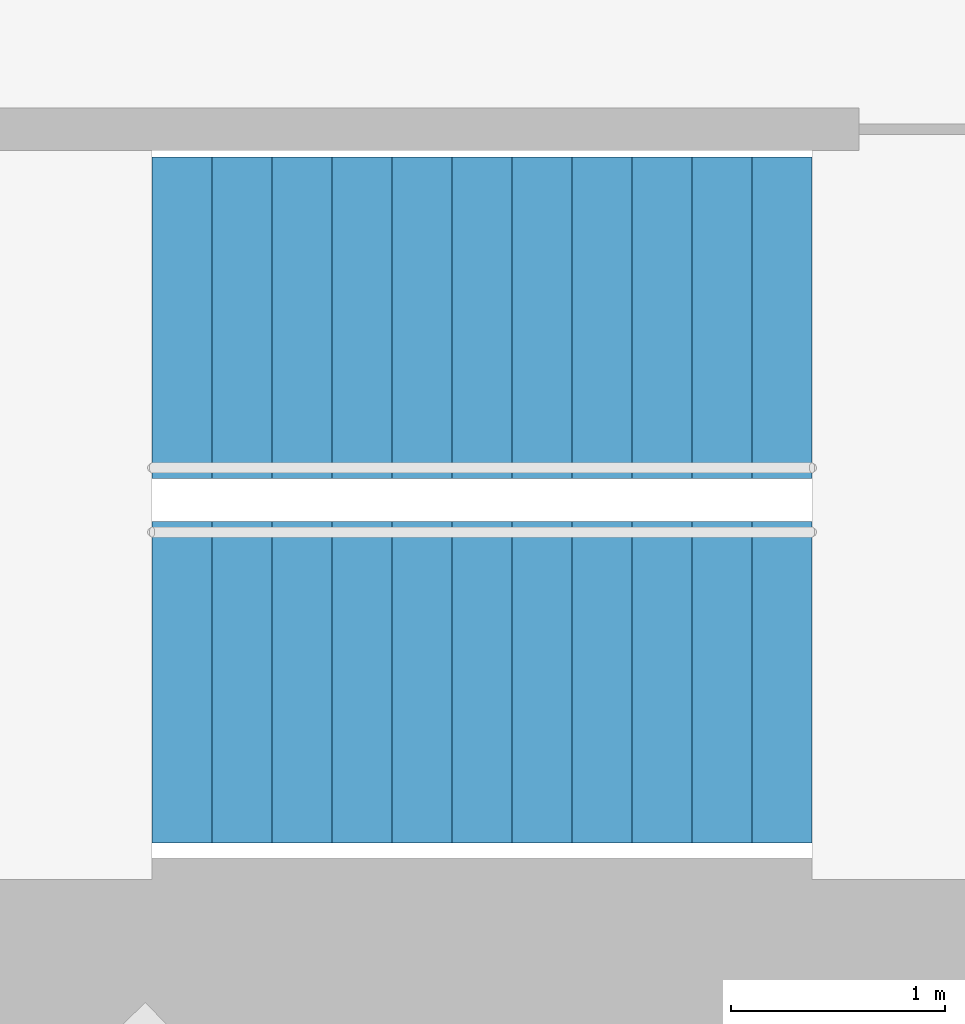
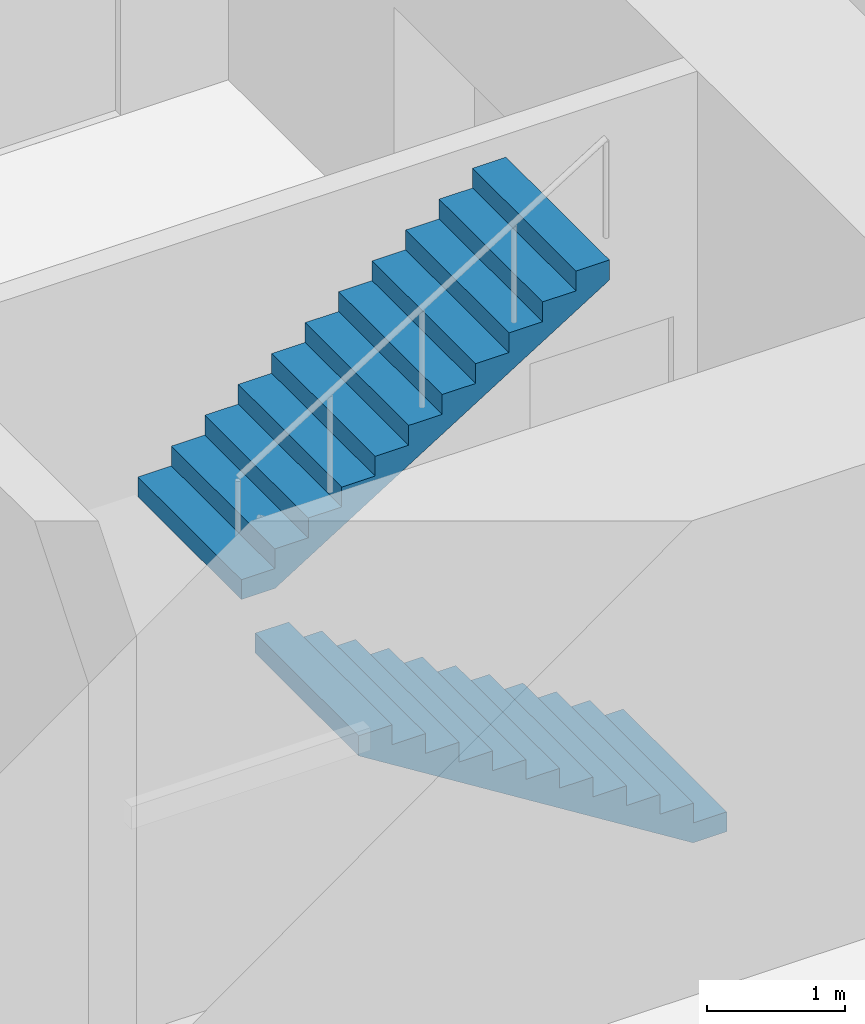
# One storey, part 17 of 18: 2 stair flights, 1 element without a shape of its own.
"""IFC4 building model written with IfcOpenShell, lengths in metres."""

from ifc_helpers import new_model, si_unit, direction, frame, origin, place, context, subcontext, project, spatial, triangles, material, type_object, element, aggregate, save


model = new_model("IFC4")

# Units and contexts
model_context = context("Model", 3, precision=1e-05, world=origin(), true_north=direction((0.0, 1.0)))
body_context = subcontext(model_context, "Body", "Model", "MODEL_VIEW")
ifc_project = project(units=[si_unit("LENGTHUNIT", "METRE"), si_unit("AREAUNIT", "SQUARE_METRE"), si_unit("VOLUMEUNIT", "CUBIC_METRE"), si_unit("PLANEANGLEUNIT", "RADIAN"), si_unit("MASSUNIT", "GRAM", prefix="KILO")], contexts=[model_context])

# Site, building, storey
site_placement = place(None, origin())
site = spatial("IfcSite", under=ifc_project, at=site_placement, CompositionType="ELEMENT")
building_placement = place(site_placement, origin())
building = spatial("IfcBuilding", under=site, at=building_placement, Name="Lantaw Convention Tower", CompositionType="ELEMENT")
storey_placement = place(building_placement, frame((0.0, 0.0, 138.39990234375)))
storey = spatial("IfcBuildingStorey", under=building, at=storey_placement, Name="L32", CompositionType="ELEMENT", Elevation=138.39990234375)

# Stair, stair flights
ifc_material = material(Name="Concrete C35/45", Category="concrete")
stair_type = type_object("IfcStairType", Name="Exit stair 1500 riser 175 in 2 flights", PredefinedType="HALF_TURN_STAIR", material=ifc_material)
stair_placement = place(storey_placement, origin())
stair = element("IfcStair", 1, at=stair_placement, inside=storey, type_object=stair_type, Name="Exit stair S2 L32", PredefinedType="HALF_TURN_STAIR")
stair_flight_type = type_object("IfcStairFlightType", Name="Stair flight 1500 riser 175", PredefinedType="STRAIGHT", material=ifc_material)
stair_flight_1_placement = place(storey_placement, frame((10.580078125, -5.97998046875, 0.0), z_axis=(0.0, 0.0, 1.0), x_axis=(-1.0, 0.0, 0.0)))
stair_flight_1 = element("IfcStairFlight", 2, at=stair_flight_1_placement, type_object=stair_flight_type, Name="S2 flight 1", NumberOfRisers=12, NumberOfTreads=11, PredefinedType="STRAIGHT", RiserHeight=0.175, TreadLength=0.28, context=body_context, shape_type="Tessellation", body=[
    triangles([(0.0, 0.75, 0.0), (0.0, 0.75, 0.175), (0.28, 0.75, 0.0), (0.28, 0.75, 0.175), (0.28, 0.75, 0.35), (0.28283517651771284, 0.75, 0.0), (0.28283517651771284, 0.75, 0.35), (0.56, 0.75, 0.17322801467642948), (0.56, 0.75, 0.35), (0.56, 0.75, 0.5249999999999999), (0.8400000000000001, 0.75, 0.34822801467642944), (0.8400000000000001, 0.75, 0.5249999999999999), (0.8400000000000001, 0.75, 0.7), (1.12, 0.75, 0.5232280146764294), (1.12, 0.75, 0.7), (1.12, 0.75, 0.875), (1.4000000000000001, 0.75, 0.6982280146764295), (1.4000000000000001, 0.75, 0.875), (1.4000000000000001, 0.75, 1.0499999999999998), (1.6800000000000002, 0.75, 0.8732280146764294), (1.6800000000000002, 0.75, 1.0499999999999998), (1.6800000000000002, 0.75, 1.2249999999999999), (1.9600000000000002, 0.75, 1.0482280146764293), (1.9600000000000002, 0.75, 1.2249999999999999), (1.9600000000000002, 0.75, 1.4), (2.24, 0.75, 1.2232280146764294), (2.24, 0.75, 1.4), (2.24, 0.75, 1.575), (2.5200000000000005, 0.75, 1.3982280146764294), (2.5200000000000005, 0.75, 1.575), (2.5200000000000005, 0.75, 1.75), (2.8000000000000003, 0.75, 1.5732280146764293), (2.8000000000000003, 0.75, 1.75), (2.8000000000000003, 0.75, 1.9249999999999998), (3.08, 0.75, 1.7482280146764293), (3.08, 0.75, 1.9249999999999998), (0.0, -0.75, 0.0), (0.0, -0.75, 0.175), (0.28, -0.75, 0.0), (0.28, -0.75, 0.175), (0.28, -0.75, 0.35), (0.28283517651771284, -0.75, 0.0), (0.28283517651771284, -0.75, 0.35), (0.56, -0.75, 0.17322801467642948), (0.56, -0.75, 0.35), (0.56, -0.75, 0.5249999999999999), (0.8400000000000001, -0.75, 0.34822801467642944), (0.8400000000000001, -0.75, 0.5249999999999999), (0.8400000000000001, -0.75, 0.7), (1.12, -0.75, 0.5232280146764294), (1.12, -0.75, 0.7), (1.12, -0.75, 0.875), (1.4000000000000001, -0.75, 0.6982280146764295), (1.4000000000000001, -0.75, 0.875), (1.4000000000000001, -0.75, 1.0499999999999998), (1.6800000000000002, -0.75, 0.8732280146764294), (1.6800000000000002, -0.75, 1.0499999999999998), (1.6800000000000002, -0.75, 1.2249999999999999), (1.9600000000000002, -0.75, 1.0482280146764293), (1.9600000000000002, -0.75, 1.2249999999999999), (1.9600000000000002, -0.75, 1.4), (2.24, -0.75, 1.2232280146764294), (2.24, -0.75, 1.4), (2.24, -0.75, 1.575), (2.5200000000000005, -0.75, 1.3982280146764294), (2.5200000000000005, -0.75, 1.575), (2.5200000000000005, -0.75, 1.75), (2.8000000000000003, -0.75, 1.5732280146764293), (2.8000000000000003, -0.75, 1.75), (2.8000000000000003, -0.75, 1.9249999999999998), (3.08, -0.75, 1.7482280146764293), (3.08, -0.75, 1.9249999999999998), (0.0, 0.15000000000000002, 0.175), (0.0, 0.15000000000000002, 0.0), (0.0, 0.0, 0.175), (0.0, 0.0, 0.0), (0.0, -0.15000000000000002, 0.175), (0.0, -0.15000000000000002, 0.0), (0.28, 0.15000000000000002, 0.35), (0.28, 0.15000000000000002, 0.175), (0.28, 0.0, 0.35), (0.28, 0.0, 0.175), (0.28, -0.15000000000000002, 0.35), (0.28, -0.15000000000000002, 0.175), (0.56, 0.15000000000000002, 0.5249999999999999), (0.56, 0.15000000000000002, 0.35), (0.56, 0.0, 0.5249999999999999), (0.56, 0.0, 0.35), (0.56, -0.15000000000000002, 0.5249999999999999), (0.56, -0.15000000000000002, 0.35), (0.8400000000000001, 0.15000000000000002, 0.7), (0.8400000000000001, 0.15000000000000002, 0.5249999999999999), (0.8400000000000001, 0.0, 0.7), (0.8400000000000001, 0.0, 0.5249999999999999), (0.8400000000000001, -0.15000000000000002, 0.7), (0.8400000000000001, -0.15000000000000002, 0.5249999999999999), (1.12, 0.15000000000000002, 0.875), (1.12, 0.15000000000000002, 0.7), (1.12, 0.0, 0.875), (1.12, 0.0, 0.7), (1.12, -0.15000000000000002, 0.875), (1.12, -0.15000000000000002, 0.7), (1.4000000000000001, 0.15000000000000002, 1.0499999999999998), (1.4000000000000001, 0.15000000000000002, 0.875), (1.4000000000000001, 0.0, 1.0499999999999998), (1.4000000000000001, 0.0, 0.875), (1.4000000000000001, -0.15000000000000002, 1.0499999999999998), (1.4000000000000001, -0.15000000000000002, 0.875), (1.6800000000000002, 0.15000000000000002, 1.2249999999999999), (1.6800000000000002, 0.15000000000000002, 1.0499999999999998), (1.6800000000000002, 0.0, 1.2249999999999999), (1.6800000000000002, 0.0, 1.0499999999999998), (1.6800000000000002, -0.15000000000000002, 1.2249999999999999), (1.6800000000000002, -0.15000000000000002, 1.0499999999999998), (1.9600000000000002, 0.15000000000000002, 1.4), (1.9600000000000002, 0.15000000000000002, 1.2249999999999999), (1.9600000000000002, 0.0, 1.4), (1.9600000000000002, 0.0, 1.2249999999999999), (1.9600000000000002, -0.15000000000000002, 1.4), (1.9600000000000002, -0.15000000000000002, 1.2249999999999999), (2.24, 0.15000000000000002, 1.575), (2.24, 0.15000000000000002, 1.4), (2.24, 0.0, 1.575), (2.24, 0.0, 1.4), (2.24, -0.15000000000000002, 1.575), (2.24, -0.15000000000000002, 1.4), (2.5200000000000005, 0.15000000000000002, 1.75), (2.5200000000000005, 0.15000000000000002, 1.575), (2.5200000000000005, 0.0, 1.75), (2.5200000000000005, 0.0, 1.575), (2.5200000000000005, -0.15000000000000002, 1.75), (2.5200000000000005, -0.15000000000000002, 1.575), (2.8000000000000003, 0.15000000000000002, 1.9249999999999998), (2.8000000000000003, 0.15000000000000002, 1.75), (2.8000000000000003, 0.0, 1.9249999999999998), (2.8000000000000003, 0.0, 1.75), (2.8000000000000003, -0.15000000000000002, 1.9249999999999998), (2.8000000000000003, -0.15000000000000002, 1.75), (0.28283517651771284, 0.15000000000000002, 0.35), (0.28283517651771284, 0.0, 0.35), (0.28283517651771284, -0.15000000000000002, 0.35), (3.08, 0.15000000000000002, 1.9249999999999998), (3.08, 0.0, 1.9249999999999998), (3.08, -0.15000000000000002, 1.9249999999999998), (3.08, 0.15000000000000002, 1.7482280146764293), (3.08, 0.0, 1.7482280146764293), (3.08, -0.15000000000000002, 1.7482280146764293), (2.8000000000000003, 0.15000000000000002, 1.5732280146764293), (2.8000000000000003, 0.0, 1.5732280146764293), (2.8000000000000003, -0.15000000000000002, 1.5732280146764293), (2.5200000000000005, 0.15000000000000002, 1.3982280146764294), (2.5200000000000005, 0.0, 1.3982280146764294), (2.5200000000000005, -0.15000000000000002, 1.3982280146764294), (2.24, 0.15000000000000002, 1.2232280146764294), (2.24, 0.0, 1.2232280146764294), (2.24, -0.15000000000000002, 1.2232280146764294), (1.9600000000000002, 0.15000000000000002, 1.0482280146764293), (1.9600000000000002, 0.0, 1.0482280146764293), (1.9600000000000002, -0.15000000000000002, 1.0482280146764293), (1.6800000000000002, 0.15000000000000002, 0.8732280146764294), (1.6800000000000002, 0.0, 0.8732280146764294), (1.6800000000000002, -0.15000000000000002, 0.8732280146764294), (1.4000000000000001, 0.15000000000000002, 0.6982280146764295), (1.4000000000000001, 0.0, 0.6982280146764295), (1.4000000000000001, -0.15000000000000002, 0.6982280146764295), (1.12, 0.15000000000000002, 0.5232280146764294), (1.12, 0.0, 0.5232280146764294), (1.12, -0.15000000000000002, 0.5232280146764294), (0.8400000000000001, 0.15000000000000002, 0.34822801467642944), (0.8400000000000001, 0.0, 0.34822801467642944), (0.8400000000000001, -0.15000000000000002, 0.34822801467642944), (0.56, 0.15000000000000002, 0.17322801467642948), (0.56, 0.0, 0.17322801467642948), (0.56, -0.15000000000000002, 0.17322801467642948), (0.28283517651771284, 0.15000000000000002, 0.0), (0.28283517651771284, 0.0, 0.0), (0.28283517651771284, -0.15000000000000002, 0.0), (0.28, 0.15000000000000002, 0.0), (0.28, 0.0, 0.0), (0.28, -0.15000000000000002, 0.0)], [[1, 4, 3], [1, 2, 4], [3, 4, 6], [4, 7, 6], [4, 5, 7], [6, 9, 8], [6, 7, 9], [8, 9, 11], [9, 12, 11], [9, 10, 12], [11, 12, 14], [12, 15, 14], [12, 13, 15], [14, 15, 17], [15, 18, 17], [15, 16, 18], [17, 18, 20], [18, 21, 20], [18, 19, 21], [20, 21, 23], [21, 24, 23], [21, 22, 24], [23, 24, 26], [24, 27, 26], [24, 25, 27], [26, 27, 29], [27, 30, 29], [27, 28, 30], [29, 30, 32], [30, 33, 32], [30, 31, 33], [32, 33, 35], [33, 36, 35], [33, 34, 36], [37, 39, 40], [37, 40, 38], [39, 42, 40], [40, 42, 43], [40, 43, 41], [42, 44, 45], [42, 45, 43], [44, 47, 45], [45, 47, 48], [45, 48, 46], [47, 50, 48], [48, 50, 51], [48, 51, 49], [50, 53, 51], [51, 53, 54], [51, 54, 52], [53, 56, 54], [54, 56, 57], [54, 57, 55], [56, 59, 57], [57, 59, 60], [57, 60, 58], [59, 62, 60], [60, 62, 63], [60, 63, 61], [62, 65, 63], [63, 65, 66], [63, 66, 64], [65, 68, 66], [66, 68, 69], [66, 69, 67], [68, 71, 69], [69, 71, 72], [69, 72, 70], [1, 73, 2], [1, 74, 73], [74, 75, 73], [74, 76, 75], [76, 77, 75], [76, 78, 77], [78, 38, 77], [78, 37, 38], [4, 79, 5], [4, 80, 79], [80, 81, 79], [80, 82, 81], [82, 83, 81], [82, 84, 83], [84, 41, 83], [84, 40, 41], [9, 85, 10], [9, 86, 85], [86, 87, 85], [86, 88, 87], [88, 89, 87], [88, 90, 89], [90, 46, 89], [90, 45, 46], [12, 91, 13], [12, 92, 91], [92, 93, 91], [92, 94, 93], [94, 95, 93], [94, 96, 95], [96, 49, 95], [96, 48, 49], [15, 97, 16], [15, 98, 97], [98, 99, 97], [98, 100, 99], [100, 101, 99], [100, 102, 101], [102, 52, 101], [102, 51, 52], [18, 103, 19], [18, 104, 103], [104, 105, 103], [104, 106, 105], [106, 107, 105], [106, 108, 107], [108, 55, 107], [108, 54, 55], [21, 109, 22], [21, 110, 109], [110, 111, 109], [110, 112, 111], [112, 113, 111], [112, 114, 113], [114, 58, 113], [114, 57, 58], [24, 115, 25], [24, 116, 115], [116, 117, 115], [116, 118, 117], [118, 119, 117], [118, 120, 119], [120, 61, 119], [120, 60, 61], [27, 121, 28], [27, 122, 121], [122, 123, 121], [122, 124, 123], [124, 125, 123], [124, 126, 125], [126, 64, 125], [126, 63, 64], [30, 127, 31], [30, 128, 127], [128, 129, 127], [128, 130, 129], [130, 131, 129], [130, 132, 131], [132, 67, 131], [132, 66, 67], [33, 133, 34], [33, 134, 133], [134, 135, 133], [134, 136, 135], [136, 137, 135], [136, 138, 137], [138, 70, 137], [138, 69, 70], [2, 80, 4], [2, 73, 80], [73, 82, 80], [73, 75, 82], [75, 84, 82], [75, 77, 84], [77, 40, 84], [77, 38, 40], [5, 139, 7], [5, 79, 139], [79, 140, 139], [79, 81, 140], [81, 141, 140], [81, 83, 141], [83, 43, 141], [83, 41, 43], [7, 86, 9], [7, 139, 86], [139, 88, 86], [139, 140, 88], [140, 90, 88], [140, 141, 90], [141, 45, 90], [141, 43, 45], [10, 92, 12], [10, 85, 92], [85, 94, 92], [85, 87, 94], [87, 96, 94], [87, 89, 96], [89, 48, 96], [89, 46, 48], [13, 98, 15], [13, 91, 98], [91, 100, 98], [91, 93, 100], [93, 102, 100], [93, 95, 102], [95, 51, 102], [95, 49, 51], [16, 104, 18], [16, 97, 104], [97, 106, 104], [97, 99, 106], [99, 108, 106], [99, 101, 108], [101, 54, 108], [101, 52, 54], [19, 110, 21], [19, 103, 110], [103, 112, 110], [103, 105, 112], [105, 114, 112], [105, 107, 114], [107, 57, 114], [107, 55, 57], [22, 116, 24], [22, 109, 116], [109, 118, 116], [109, 111, 118], [111, 120, 118], [111, 113, 120], [113, 60, 120], [113, 58, 60], [25, 122, 27], [25, 115, 122], [115, 124, 122], [115, 117, 124], [117, 126, 124], [117, 119, 126], [119, 63, 126], [119, 61, 63], [28, 128, 30], [28, 121, 128], [121, 130, 128], [121, 123, 130], [123, 132, 130], [123, 125, 132], [125, 66, 132], [125, 64, 66], [31, 134, 33], [31, 127, 134], [127, 136, 134], [127, 129, 136], [129, 138, 136], [129, 131, 138], [131, 69, 138], [131, 67, 69], [34, 142, 36], [34, 133, 142], [133, 143, 142], [133, 135, 143], [135, 144, 143], [135, 137, 144], [137, 72, 144], [137, 70, 72], [36, 145, 35], [36, 142, 145], [142, 146, 145], [142, 143, 146], [143, 147, 146], [143, 144, 147], [144, 71, 147], [144, 72, 71], [35, 148, 32], [35, 145, 148], [145, 149, 148], [145, 146, 149], [146, 150, 149], [146, 147, 150], [147, 68, 150], [147, 71, 68], [32, 151, 29], [32, 148, 151], [148, 152, 151], [148, 149, 152], [149, 153, 152], [149, 150, 153], [150, 65, 153], [150, 68, 65], [29, 154, 26], [29, 151, 154], [151, 155, 154], [151, 152, 155], [152, 156, 155], [152, 153, 156], [153, 62, 156], [153, 65, 62], [26, 157, 23], [26, 154, 157], [154, 158, 157], [154, 155, 158], [155, 159, 158], [155, 156, 159], [156, 59, 159], [156, 62, 59], [23, 160, 20], [23, 157, 160], [157, 161, 160], [157, 158, 161], [158, 162, 161], [158, 159, 162], [159, 56, 162], [159, 59, 56], [20, 163, 17], [20, 160, 163], [160, 164, 163], [160, 161, 164], [161, 165, 164], [161, 162, 165], [162, 53, 165], [162, 56, 53], [17, 166, 14], [17, 163, 166], [163, 167, 166], [163, 164, 167], [164, 168, 167], [164, 165, 168], [165, 50, 168], [165, 53, 50], [14, 169, 11], [14, 166, 169], [166, 170, 169], [166, 167, 170], [167, 171, 170], [167, 168, 171], [168, 47, 171], [168, 50, 47], [11, 172, 8], [11, 169, 172], [169, 173, 172], [169, 170, 173], [170, 174, 173], [170, 171, 174], [171, 44, 174], [171, 47, 44], [8, 175, 6], [8, 172, 175], [172, 176, 175], [172, 173, 176], [173, 177, 176], [173, 174, 177], [174, 42, 177], [174, 44, 42], [6, 178, 3], [6, 175, 178], [175, 179, 178], [175, 176, 179], [176, 180, 179], [176, 177, 180], [177, 39, 180], [177, 42, 39], [3, 74, 1], [3, 178, 74], [178, 76, 74], [178, 179, 76], [179, 78, 76], [179, 180, 78], [180, 37, 78], [180, 39, 37]], closed=True),
])
stair_flight_2_placement = place(storey_placement, frame((7.5, -4.280029296875, 2.10009765625), z_axis=(0.0, 0.0, 1.0), x_axis=(1.0, 0.0, 0.0)))
stair_flight_2 = element("IfcStairFlight", 3, at=stair_flight_2_placement, type_object=stair_flight_type, Name="S2 flight 2", NumberOfRisers=12, NumberOfTreads=11, PredefinedType="STRAIGHT", RiserHeight=0.175, TreadLength=0.28, context=body_context, shape_type="Tessellation", body=[
    triangles([(0.0, 0.75, 0.0), (0.0, 0.75, 0.175), (0.28, 0.75, 0.0), (0.28, 0.75, 0.175), (0.28, 0.75, 0.35), (0.28283517651771284, 0.75, 0.0), (0.28283517651771284, 0.75, 0.35), (0.56, 0.75, 0.17322801467642948), (0.56, 0.75, 0.35), (0.56, 0.75, 0.5249999999999999), (0.8400000000000001, 0.75, 0.34822801467642944), (0.8400000000000001, 0.75, 0.5249999999999999), (0.8400000000000001, 0.75, 0.7), (1.12, 0.75, 0.5232280146764294), (1.12, 0.75, 0.7), (1.12, 0.75, 0.875), (1.4000000000000001, 0.75, 0.6982280146764295), (1.4000000000000001, 0.75, 0.875), (1.4000000000000001, 0.75, 1.0499999999999998), (1.6800000000000002, 0.75, 0.8732280146764294), (1.6800000000000002, 0.75, 1.0499999999999998), (1.6800000000000002, 0.75, 1.2249999999999999), (1.9600000000000002, 0.75, 1.0482280146764293), (1.9600000000000002, 0.75, 1.2249999999999999), (1.9600000000000002, 0.75, 1.4), (2.24, 0.75, 1.2232280146764294), (2.24, 0.75, 1.4), (2.24, 0.75, 1.575), (2.5200000000000005, 0.75, 1.3982280146764294), (2.5200000000000005, 0.75, 1.575), (2.5200000000000005, 0.75, 1.75), (2.8000000000000003, 0.75, 1.5732280146764293), (2.8000000000000003, 0.75, 1.75), (2.8000000000000003, 0.75, 1.9249999999999998), (3.08, 0.75, 1.7482280146764293), (3.08, 0.75, 1.9249999999999998), (0.0, -0.75, 0.0), (0.0, -0.75, 0.175), (0.28, -0.75, 0.0), (0.28, -0.75, 0.175), (0.28, -0.75, 0.35), (0.28283517651771284, -0.75, 0.0), (0.28283517651771284, -0.75, 0.35), (0.56, -0.75, 0.17322801467642948), (0.56, -0.75, 0.35), (0.56, -0.75, 0.5249999999999999), (0.8400000000000001, -0.75, 0.34822801467642944), (0.8400000000000001, -0.75, 0.5249999999999999), (0.8400000000000001, -0.75, 0.7), (1.12, -0.75, 0.5232280146764294), (1.12, -0.75, 0.7), (1.12, -0.75, 0.875), (1.4000000000000001, -0.75, 0.6982280146764295), (1.4000000000000001, -0.75, 0.875), (1.4000000000000001, -0.75, 1.0499999999999998), (1.6800000000000002, -0.75, 0.8732280146764294), (1.6800000000000002, -0.75, 1.0499999999999998), (1.6800000000000002, -0.75, 1.2249999999999999), (1.9600000000000002, -0.75, 1.0482280146764293), (1.9600000000000002, -0.75, 1.2249999999999999), (1.9600000000000002, -0.75, 1.4), (2.24, -0.75, 1.2232280146764294), (2.24, -0.75, 1.4), (2.24, -0.75, 1.575), (2.5200000000000005, -0.75, 1.3982280146764294), (2.5200000000000005, -0.75, 1.575), (2.5200000000000005, -0.75, 1.75), (2.8000000000000003, -0.75, 1.5732280146764293), (2.8000000000000003, -0.75, 1.75), (2.8000000000000003, -0.75, 1.9249999999999998), (3.08, -0.75, 1.7482280146764293), (3.08, -0.75, 1.9249999999999998), (0.0, 0.15000000000000002, 0.175), (0.0, 0.15000000000000002, 0.0), (0.0, 0.0, 0.175), (0.0, 0.0, 0.0), (0.0, -0.15000000000000002, 0.175), (0.0, -0.15000000000000002, 0.0), (0.28, 0.15000000000000002, 0.35), (0.28, 0.15000000000000002, 0.175), (0.28, 0.0, 0.35), (0.28, 0.0, 0.175), (0.28, -0.15000000000000002, 0.35), (0.28, -0.15000000000000002, 0.175), (0.56, 0.15000000000000002, 0.5249999999999999), (0.56, 0.15000000000000002, 0.35), (0.56, 0.0, 0.5249999999999999), (0.56, 0.0, 0.35), (0.56, -0.15000000000000002, 0.5249999999999999), (0.56, -0.15000000000000002, 0.35), (0.8400000000000001, 0.15000000000000002, 0.7), (0.8400000000000001, 0.15000000000000002, 0.5249999999999999), (0.8400000000000001, 0.0, 0.7), (0.8400000000000001, 0.0, 0.5249999999999999), (0.8400000000000001, -0.15000000000000002, 0.7), (0.8400000000000001, -0.15000000000000002, 0.5249999999999999), (1.12, 0.15000000000000002, 0.875), (1.12, 0.15000000000000002, 0.7), (1.12, 0.0, 0.875), (1.12, 0.0, 0.7), (1.12, -0.15000000000000002, 0.875), (1.12, -0.15000000000000002, 0.7), (1.4000000000000001, 0.15000000000000002, 1.0499999999999998), (1.4000000000000001, 0.15000000000000002, 0.875), (1.4000000000000001, 0.0, 1.0499999999999998), (1.4000000000000001, 0.0, 0.875), (1.4000000000000001, -0.15000000000000002, 1.0499999999999998), (1.4000000000000001, -0.15000000000000002, 0.875), (1.6800000000000002, 0.15000000000000002, 1.2249999999999999), (1.6800000000000002, 0.15000000000000002, 1.0499999999999998), (1.6800000000000002, 0.0, 1.2249999999999999), (1.6800000000000002, 0.0, 1.0499999999999998), (1.6800000000000002, -0.15000000000000002, 1.2249999999999999), (1.6800000000000002, -0.15000000000000002, 1.0499999999999998), (1.9600000000000002, 0.15000000000000002, 1.4), (1.9600000000000002, 0.15000000000000002, 1.2249999999999999), (1.9600000000000002, 0.0, 1.4), (1.9600000000000002, 0.0, 1.2249999999999999), (1.9600000000000002, -0.15000000000000002, 1.4), (1.9600000000000002, -0.15000000000000002, 1.2249999999999999), (2.24, 0.15000000000000002, 1.575), (2.24, 0.15000000000000002, 1.4), (2.24, 0.0, 1.575), (2.24, 0.0, 1.4), (2.24, -0.15000000000000002, 1.575), (2.24, -0.15000000000000002, 1.4), (2.5200000000000005, 0.15000000000000002, 1.75), (2.5200000000000005, 0.15000000000000002, 1.575), (2.5200000000000005, 0.0, 1.75), (2.5200000000000005, 0.0, 1.575), (2.5200000000000005, -0.15000000000000002, 1.75), (2.5200000000000005, -0.15000000000000002, 1.575), (2.8000000000000003, 0.15000000000000002, 1.9249999999999998), (2.8000000000000003, 0.15000000000000002, 1.75), (2.8000000000000003, 0.0, 1.9249999999999998), (2.8000000000000003, 0.0, 1.75), (2.8000000000000003, -0.15000000000000002, 1.9249999999999998), (2.8000000000000003, -0.15000000000000002, 1.75), (0.28283517651771284, 0.15000000000000002, 0.35), (0.28283517651771284, 0.0, 0.35), (0.28283517651771284, -0.15000000000000002, 0.35), (3.08, 0.15000000000000002, 1.9249999999999998), (3.08, 0.0, 1.9249999999999998), (3.08, -0.15000000000000002, 1.9249999999999998), (3.08, 0.15000000000000002, 1.7482280146764293), (3.08, 0.0, 1.7482280146764293), (3.08, -0.15000000000000002, 1.7482280146764293), (2.8000000000000003, 0.15000000000000002, 1.5732280146764293), (2.8000000000000003, 0.0, 1.5732280146764293), (2.8000000000000003, -0.15000000000000002, 1.5732280146764293), (2.5200000000000005, 0.15000000000000002, 1.3982280146764294), (2.5200000000000005, 0.0, 1.3982280146764294), (2.5200000000000005, -0.15000000000000002, 1.3982280146764294), (2.24, 0.15000000000000002, 1.2232280146764294), (2.24, 0.0, 1.2232280146764294), (2.24, -0.15000000000000002, 1.2232280146764294), (1.9600000000000002, 0.15000000000000002, 1.0482280146764293), (1.9600000000000002, 0.0, 1.0482280146764293), (1.9600000000000002, -0.15000000000000002, 1.0482280146764293), (1.6800000000000002, 0.15000000000000002, 0.8732280146764294), (1.6800000000000002, 0.0, 0.8732280146764294), (1.6800000000000002, -0.15000000000000002, 0.8732280146764294), (1.4000000000000001, 0.15000000000000002, 0.6982280146764295), (1.4000000000000001, 0.0, 0.6982280146764295), (1.4000000000000001, -0.15000000000000002, 0.6982280146764295), (1.12, 0.15000000000000002, 0.5232280146764294), (1.12, 0.0, 0.5232280146764294), (1.12, -0.15000000000000002, 0.5232280146764294), (0.8400000000000001, 0.15000000000000002, 0.34822801467642944), (0.8400000000000001, 0.0, 0.34822801467642944), (0.8400000000000001, -0.15000000000000002, 0.34822801467642944), (0.56, 0.15000000000000002, 0.17322801467642948), (0.56, 0.0, 0.17322801467642948), (0.56, -0.15000000000000002, 0.17322801467642948), (0.28283517651771284, 0.15000000000000002, 0.0), (0.28283517651771284, 0.0, 0.0), (0.28283517651771284, -0.15000000000000002, 0.0), (0.28, 0.15000000000000002, 0.0), (0.28, 0.0, 0.0), (0.28, -0.15000000000000002, 0.0)], [[1, 4, 3], [1, 2, 4], [3, 4, 6], [4, 7, 6], [4, 5, 7], [6, 9, 8], [6, 7, 9], [8, 9, 11], [9, 12, 11], [9, 10, 12], [11, 12, 14], [12, 15, 14], [12, 13, 15], [14, 15, 17], [15, 18, 17], [15, 16, 18], [17, 18, 20], [18, 21, 20], [18, 19, 21], [20, 21, 23], [21, 24, 23], [21, 22, 24], [23, 24, 26], [24, 27, 26], [24, 25, 27], [26, 27, 29], [27, 30, 29], [27, 28, 30], [29, 30, 32], [30, 33, 32], [30, 31, 33], [32, 33, 35], [33, 36, 35], [33, 34, 36], [37, 39, 40], [37, 40, 38], [39, 42, 40], [40, 42, 43], [40, 43, 41], [42, 44, 45], [42, 45, 43], [44, 47, 45], [45, 47, 48], [45, 48, 46], [47, 50, 48], [48, 50, 51], [48, 51, 49], [50, 53, 51], [51, 53, 54], [51, 54, 52], [53, 56, 54], [54, 56, 57], [54, 57, 55], [56, 59, 57], [57, 59, 60], [57, 60, 58], [59, 62, 60], [60, 62, 63], [60, 63, 61], [62, 65, 63], [63, 65, 66], [63, 66, 64], [65, 68, 66], [66, 68, 69], [66, 69, 67], [68, 71, 69], [69, 71, 72], [69, 72, 70], [1, 73, 2], [1, 74, 73], [74, 75, 73], [74, 76, 75], [76, 77, 75], [76, 78, 77], [78, 38, 77], [78, 37, 38], [4, 79, 5], [4, 80, 79], [80, 81, 79], [80, 82, 81], [82, 83, 81], [82, 84, 83], [84, 41, 83], [84, 40, 41], [9, 85, 10], [9, 86, 85], [86, 87, 85], [86, 88, 87], [88, 89, 87], [88, 90, 89], [90, 46, 89], [90, 45, 46], [12, 91, 13], [12, 92, 91], [92, 93, 91], [92, 94, 93], [94, 95, 93], [94, 96, 95], [96, 49, 95], [96, 48, 49], [15, 97, 16], [15, 98, 97], [98, 99, 97], [98, 100, 99], [100, 101, 99], [100, 102, 101], [102, 52, 101], [102, 51, 52], [18, 103, 19], [18, 104, 103], [104, 105, 103], [104, 106, 105], [106, 107, 105], [106, 108, 107], [108, 55, 107], [108, 54, 55], [21, 109, 22], [21, 110, 109], [110, 111, 109], [110, 112, 111], [112, 113, 111], [112, 114, 113], [114, 58, 113], [114, 57, 58], [24, 115, 25], [24, 116, 115], [116, 117, 115], [116, 118, 117], [118, 119, 117], [118, 120, 119], [120, 61, 119], [120, 60, 61], [27, 121, 28], [27, 122, 121], [122, 123, 121], [122, 124, 123], [124, 125, 123], [124, 126, 125], [126, 64, 125], [126, 63, 64], [30, 127, 31], [30, 128, 127], [128, 129, 127], [128, 130, 129], [130, 131, 129], [130, 132, 131], [132, 67, 131], [132, 66, 67], [33, 133, 34], [33, 134, 133], [134, 135, 133], [134, 136, 135], [136, 137, 135], [136, 138, 137], [138, 70, 137], [138, 69, 70], [2, 80, 4], [2, 73, 80], [73, 82, 80], [73, 75, 82], [75, 84, 82], [75, 77, 84], [77, 40, 84], [77, 38, 40], [5, 139, 7], [5, 79, 139], [79, 140, 139], [79, 81, 140], [81, 141, 140], [81, 83, 141], [83, 43, 141], [83, 41, 43], [7, 86, 9], [7, 139, 86], [139, 88, 86], [139, 140, 88], [140, 90, 88], [140, 141, 90], [141, 45, 90], [141, 43, 45], [10, 92, 12], [10, 85, 92], [85, 94, 92], [85, 87, 94], [87, 96, 94], [87, 89, 96], [89, 48, 96], [89, 46, 48], [13, 98, 15], [13, 91, 98], [91, 100, 98], [91, 93, 100], [93, 102, 100], [93, 95, 102], [95, 51, 102], [95, 49, 51], [16, 104, 18], [16, 97, 104], [97, 106, 104], [97, 99, 106], [99, 108, 106], [99, 101, 108], [101, 54, 108], [101, 52, 54], [19, 110, 21], [19, 103, 110], [103, 112, 110], [103, 105, 112], [105, 114, 112], [105, 107, 114], [107, 57, 114], [107, 55, 57], [22, 116, 24], [22, 109, 116], [109, 118, 116], [109, 111, 118], [111, 120, 118], [111, 113, 120], [113, 60, 120], [113, 58, 60], [25, 122, 27], [25, 115, 122], [115, 124, 122], [115, 117, 124], [117, 126, 124], [117, 119, 126], [119, 63, 126], [119, 61, 63], [28, 128, 30], [28, 121, 128], [121, 130, 128], [121, 123, 130], [123, 132, 130], [123, 125, 132], [125, 66, 132], [125, 64, 66], [31, 134, 33], [31, 127, 134], [127, 136, 134], [127, 129, 136], [129, 138, 136], [129, 131, 138], [131, 69, 138], [131, 67, 69], [34, 142, 36], [34, 133, 142], [133, 143, 142], [133, 135, 143], [135, 144, 143], [135, 137, 144], [137, 72, 144], [137, 70, 72], [36, 145, 35], [36, 142, 145], [142, 146, 145], [142, 143, 146], [143, 147, 146], [143, 144, 147], [144, 71, 147], [144, 72, 71], [35, 148, 32], [35, 145, 148], [145, 149, 148], [145, 146, 149], [146, 150, 149], [146, 147, 150], [147, 68, 150], [147, 71, 68], [32, 151, 29], [32, 148, 151], [148, 152, 151], [148, 149, 152], [149, 153, 152], [149, 150, 153], [150, 65, 153], [150, 68, 65], [29, 154, 26], [29, 151, 154], [151, 155, 154], [151, 152, 155], [152, 156, 155], [152, 153, 156], [153, 62, 156], [153, 65, 62], [26, 157, 23], [26, 154, 157], [154, 158, 157], [154, 155, 158], [155, 159, 158], [155, 156, 159], [156, 59, 159], [156, 62, 59], [23, 160, 20], [23, 157, 160], [157, 161, 160], [157, 158, 161], [158, 162, 161], [158, 159, 162], [159, 56, 162], [159, 59, 56], [20, 163, 17], [20, 160, 163], [160, 164, 163], [160, 161, 164], [161, 165, 164], [161, 162, 165], [162, 53, 165], [162, 56, 53], [17, 166, 14], [17, 163, 166], [163, 167, 166], [163, 164, 167], [164, 168, 167], [164, 165, 168], [165, 50, 168], [165, 53, 50], [14, 169, 11], [14, 166, 169], [166, 170, 169], [166, 167, 170], [167, 171, 170], [167, 168, 171], [168, 47, 171], [168, 50, 47], [11, 172, 8], [11, 169, 172], [169, 173, 172], [169, 170, 173], [170, 174, 173], [170, 171, 174], [171, 44, 174], [171, 47, 44], [8, 175, 6], [8, 172, 175], [172, 176, 175], [172, 173, 176], [173, 177, 176], [173, 174, 177], [174, 42, 177], [174, 44, 42], [6, 178, 3], [6, 175, 178], [175, 179, 178], [175, 176, 179], [176, 180, 179], [176, 177, 180], [177, 39, 180], [177, 42, 39], [3, 74, 1], [3, 178, 74], [178, 76, 74], [178, 179, 76], [179, 78, 76], [179, 180, 78], [180, 37, 78], [180, 39, 37]], closed=True),
])
aggregate(stair, [stair_flight_1, stair_flight_2])

save(model, "model.ifc")
